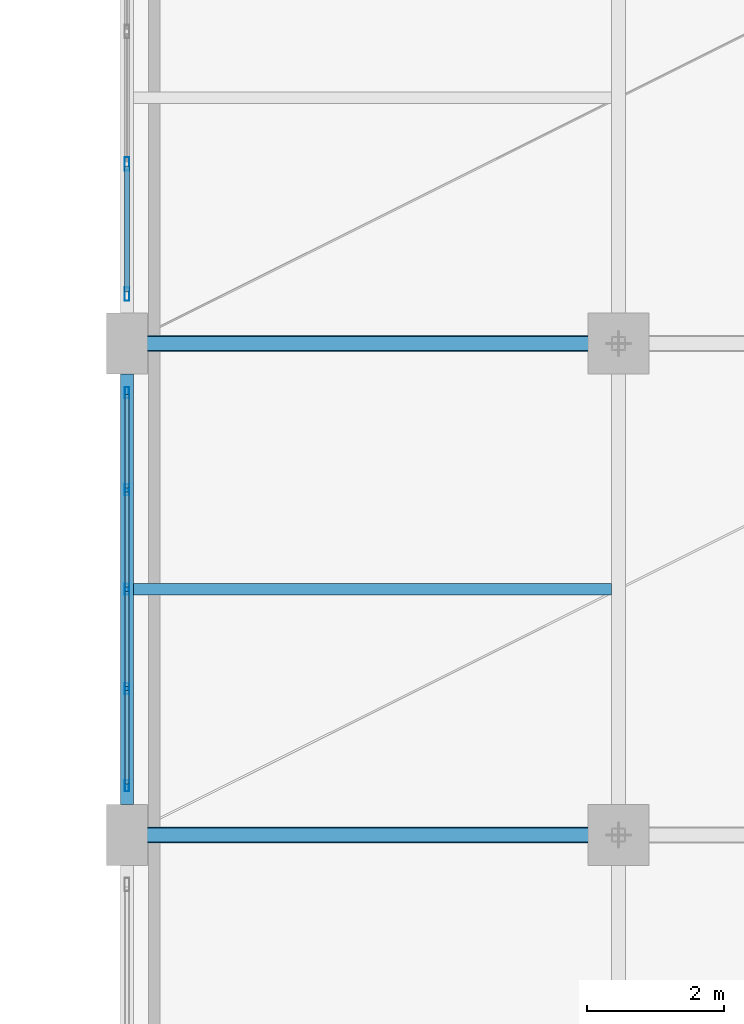
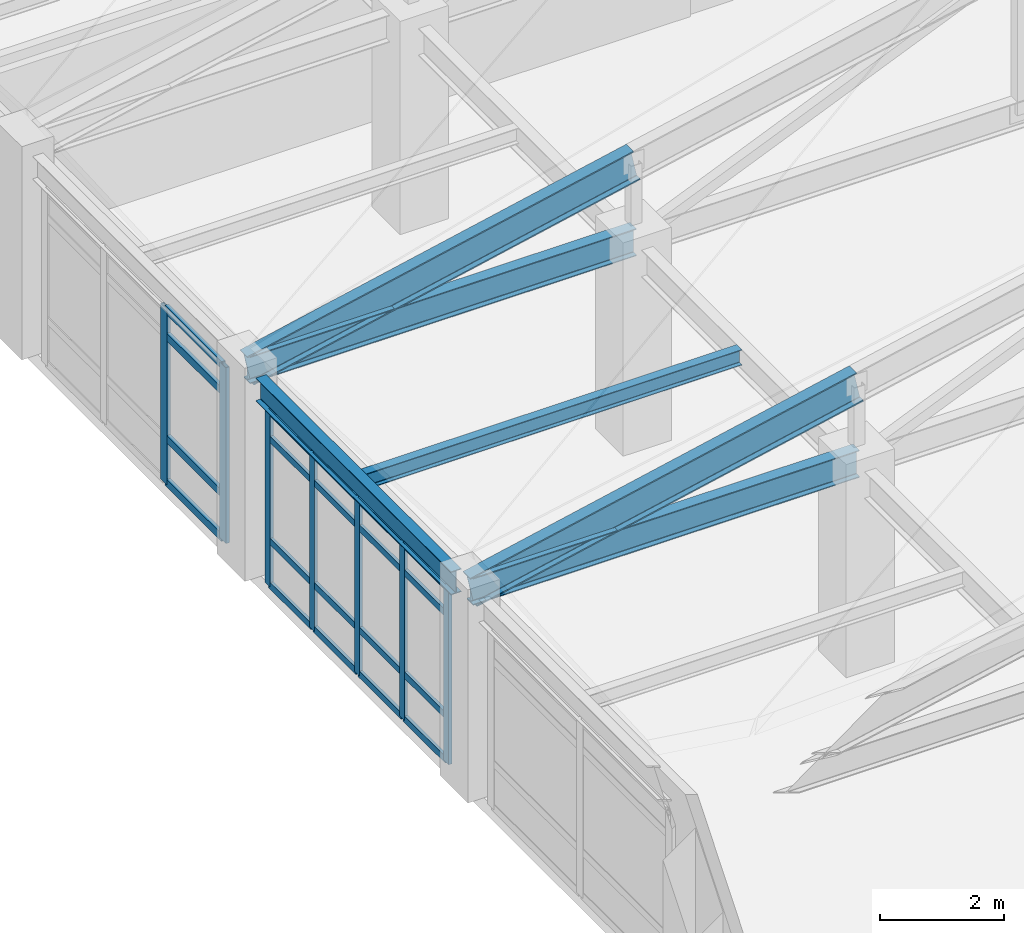
# One storey, part 30 of 113: 29 members, 4 beams, 2 elements without a shape of their own.
"""IFC4 building model written with IfcOpenShell, lengths in metres."""

from ifc_helpers import new_model, si_unit, direction, frame, origin, origin_2d, place, context, subcontext, project, spatial, hollow_rectangle, i_section, extrude, material, layer, layer_set, material_profile, profile_set, type_object, element, aggregate, save


model = new_model("IFC4")

# Units and contexts
model_context = context("Model", 3, precision=1e-05, world=origin(), true_north=direction((0.0, 1.0)))
body_context = subcontext(model_context, "Body", "Model", "MODEL_VIEW")
ifc_project = project(units=[si_unit("LENGTHUNIT", "METRE"), si_unit("AREAUNIT", "SQUARE_METRE"), si_unit("VOLUMEUNIT", "CUBIC_METRE"), si_unit("PLANEANGLEUNIT", "RADIAN"), si_unit("MASSUNIT", "GRAM", prefix="KILO")], contexts=[model_context])

# Site, building, storey
site_placement = place(None, origin())
site = spatial("IfcSite", under=ifc_project, at=site_placement, CompositionType="ELEMENT")
building_placement = place(site_placement, origin())
building = spatial("IfcBuilding", under=site, at=building_placement, Name="Carrowvane Square Congress Hotel", CompositionType="ELEMENT")
storey_placement = place(building_placement, frame((0.0, 0.0, 15.0)))
storey = spatial("IfcBuildingStorey", under=building, at=storey_placement, Name="L03", CompositionType="ELEMENT", Elevation=15.0)

# Beams
ifc_material_1 = material(Name="Steel S355", Category="steel")
ifc_material_profile_1 = material_profile(ifc_material_1, i_section(OverallWidth=0.165771484375, OverallDepth=0.306640625, WebThickness=0.006591796875, FlangeThickness=0.01171875, FilletRadius=0.0087890625, at=origin_2d()), Name="UKB 305x165x46")
ifc_profile_set_1 = profile_set([ifc_material_profile_1], Name="Steel S355")
beam_type_1 = type_object("IfcBeamType", Name="BM-ST-UKB305", PredefinedType="JOIST", material=ifc_profile_set_1)
beam_1_placement = place(storey_placement, frame((134.095703125, 30.60009765625, 3.78662109375), z_axis=(1.0, 0.0, 0.0), x_axis=(0.0, 1.0, 0.0)))
element("IfcBeam", 1, at=beam_1_placement, inside=storey, type_object=beam_type_1, Name="L04 secondary joist 18-19", PredefinedType="JOIST", context=body_context, shape_type="SweptSolid", body=[
    extrude(i_section(OverallWidth=0.165771484375, OverallDepth=0.306640625, WebThickness=0.006591796875, FlangeThickness=0.01171875, FilletRadius=0.0087890625, at=origin_2d()), origin(), (0.0, 0.0, 1.0), 6.999267578125),
])
ifc_material_2 = material(Name="Steel S355", Category="steel")
ifc_material_profile_2 = material_profile(ifc_material_2, i_section(OverallWidth=0.19140625, OverallDepth=0.4599609375, WebThickness=0.010009765625, FlangeThickness=0.01611328125, FilletRadius=0.01025390625, at=origin_2d()), Name="UKB 457x191x82")
ifc_profile_set_2 = profile_set([ifc_material_profile_2], Name="Steel S355")
beam_type_2 = type_object("IfcBeamType", Name="BM-ST-UKB457", PredefinedType="SPANDREL", material=ifc_profile_set_2)
beam_2_placement = place(storey_placement, frame((134.0, 27.449951171875, 3.7099609375), z_axis=(0.0, 1.0, 0.0), x_axis=(-1.0, 0.0, 0.0)))
element("IfcBeam", 2, at=beam_2_placement, inside=storey, type_object=beam_type_2, Name="L04 girder 18/D-E", PredefinedType="SPANDREL", context=body_context, shape_type="SweptSolid", body=[
    extrude(i_section(OverallWidth=0.19140625, OverallDepth=0.4599609375, WebThickness=0.010009765625, FlangeThickness=0.01611328125, FilletRadius=0.01025390625, at=origin_2d()), origin(), (0.0, 0.0, 1.0), 6.300048828125),
])
ifc_material_3 = material(Name="Steel S355", Category="steel")
ifc_material_profile_3 = material_profile(ifc_material_3, i_section(OverallWidth=0.2099609375, OverallDepth=0.53662109375, WebThickness=0.0107421875, FlangeThickness=0.017333984375, FilletRadius=0.0126953125, at=origin_2d()), Name="UKB 533x210x101")
ifc_profile_set_3 = profile_set([ifc_material_profile_3], Name="Steel S355")
beam_type_3 = type_object("IfcBeamType", Name="BM-ST-UKB533", PredefinedType="USERDEFINED", material=ifc_profile_set_3)
for number, where, z_axis, x_axis, name in (
    (3, (134.0, 27.0, 3.85009765625), (1.0, 0.0, 0.0), (0.0, 1.0, 0.0), "V2 pavilion truss west tie girder 3"),
    (4, (134.0, 34.199951171875, 3.85009765625), (1.0, 0.0, 0.0), (0.0, 1.0, 0.0), "V2 pavilion truss west tie girder 4"),
):
    element("IfcBeam", number, at=place(storey_placement, frame(where, z_axis=z_axis, x_axis=x_axis)), inside=storey, type_object=beam_type_3, Name=name, ObjectType="GIRDER", PredefinedType="USERDEFINED", context=body_context, shape_type="SweptSolid", body=[
        extrude(i_section(OverallWidth=0.2099609375, OverallDepth=0.53662109375, WebThickness=0.0107421875, FlangeThickness=0.017333984375, FilletRadius=0.0126953125, at=origin_2d()), origin(), (0.0, 0.0, 1.0), 7.199951171875),
    ])

# Curtain wall, members
ifc_material_4 = material(Name="Anodised aluminium", Category="aluminium")
ifc_layer_1 = layer(ifc_material_4, 0.2099609375)
ifc_layer_set_1 = layer_set([ifc_layer_1], Name="Anodised aluminium")
curtain_wall_type_1 = type_object("IfcCurtainWallType", Name="CW-SYS-5", PredefinedType="NOTDEFINED", material=ifc_layer_set_1)
curtain_wall_1_placement = place(storey_placement, origin())
curtain_wall_1 = element("IfcCurtainWall", 5, at=curtain_wall_1_placement, inside=storey, type_object=curtain_wall_type_1, Name="L03 unitised curtain wall 244", PredefinedType="NOTDEFINED")
ifc_material_5 = material(Name="Anodised aluminium", Category="aluminium")
ifc_material_profile_4 = material_profile(ifc_material_5, hollow_rectangle(XDim=0.06005859375, YDim=0.159912109375, WallThickness=0.00390625, at=origin_2d()), Name="CW-ML 60x160x4")
ifc_profile_set_4 = profile_set([ifc_material_profile_4], Name="Anodised aluminium")
member_type_1 = type_object("IfcMemberType", Name="CW-MUL-1", PredefinedType="MULLION", material=ifc_profile_set_4)
member_1_placement = place(storey_placement, frame((134.0, 27.719970703125, 0.0), z_axis=(0.0, 0.0, 1.0), x_axis=(-1.0, 0.0, 0.0)))
member_1 = element("IfcMember", 6, at=member_1_placement, type_object=member_type_1, Name="CW-5 mullion 1", PredefinedType="MULLION", context=body_context, shape_type="SweptSolid", body=[
    extrude(hollow_rectangle(XDim=0.06005859375, YDim=0.159912109375, WallThickness=0.00390625, at=origin_2d()), origin(), (0.0, 0.0, 1.0), 3.465087890625),
])
member_2_placement = place(storey_placement, frame((134.0, 29.14501953125, 0.0), z_axis=(0.0, 0.0, 1.0), x_axis=(-1.0, 0.0, 0.0)))
member_2 = element("IfcMember", 7, at=member_2_placement, type_object=member_type_1, Name="CW-5 mullion 2", PredefinedType="MULLION", context=body_context, shape_type="SweptSolid", body=[
    extrude(hollow_rectangle(XDim=0.06005859375, YDim=0.159912109375, WallThickness=0.00390625, at=origin_2d()), origin(), (0.0, 0.0, 1.0), 3.465087890625),
])
member_3_placement = place(storey_placement, frame((134.0, 30.60009765625, 0.0), z_axis=(0.0, 0.0, 1.0), x_axis=(-1.0, 0.0, 0.0)))
member_3 = element("IfcMember", 8, at=member_3_placement, type_object=member_type_1, Name="CW-5 mullion 3", PredefinedType="MULLION", context=body_context, shape_type="SweptSolid", body=[
    extrude(hollow_rectangle(XDim=0.06005859375, YDim=0.159912109375, WallThickness=0.00390625, at=origin_2d()), origin(), (0.0, 0.0, 1.0), 3.465087890625),
])
member_4_placement = place(storey_placement, frame((134.0, 32.054931640625, 0.0), z_axis=(0.0, 0.0, 1.0), x_axis=(-1.0, 0.0, 0.0)))
member_4 = element("IfcMember", 9, at=member_4_placement, type_object=member_type_1, Name="CW-5 mullion 4", PredefinedType="MULLION", context=body_context, shape_type="SweptSolid", body=[
    extrude(hollow_rectangle(XDim=0.06005859375, YDim=0.159912109375, WallThickness=0.00390625, at=origin_2d()), origin(), (0.0, 0.0, 1.0), 3.465087890625),
])
member_5_placement = place(storey_placement, frame((134.0, 33.47998046875, 0.0), z_axis=(0.0, 0.0, 1.0), x_axis=(-1.0, 0.0, 0.0)))
member_5 = element("IfcMember", 10, at=member_5_placement, type_object=member_type_1, Name="CW-5 mullion 5", PredefinedType="MULLION", context=body_context, shape_type="SweptSolid", body=[
    extrude(hollow_rectangle(XDim=0.06005859375, YDim=0.159912109375, WallThickness=0.00390625, at=origin_2d()), origin(), (0.0, 0.0, 1.0), 3.465087890625),
])

ifc_material_6 = material(Name="Anodised aluminium", Category="aluminium")
ifc_layer_2 = layer(ifc_material_6, 0.221923828125)
ifc_layer_set_2 = layer_set([ifc_layer_2], Name="Anodised aluminium")
curtain_wall_type_2 = type_object("IfcCurtainWallType", Name="CW-SYS-6", PredefinedType="NOTDEFINED", material=ifc_layer_set_2)
curtain_wall_2_placement = place(storey_placement, origin())
curtain_wall_2 = element("IfcCurtainWall", 11, at=curtain_wall_2_placement, inside=storey, type_object=curtain_wall_type_2, Name="L03 unitised curtain wall 245", PredefinedType="NOTDEFINED")
ifc_material_7 = material(Name="Anodised aluminium", Category="aluminium")
ifc_material_profile_5 = material_profile(ifc_material_7, hollow_rectangle(XDim=0.070068359375, YDim=0.199951171875, WallThickness=0.0048828125, at=origin_2d()), Name="CW-ML 70x200x5")
ifc_profile_set_5 = profile_set([ifc_material_profile_5], Name="Anodised aluminium")
member_type_2 = type_object("IfcMemberType", Name="CW-MUL-2", PredefinedType="MULLION", material=ifc_profile_set_5)
member_6_placement = place(storey_placement, frame((134.0, 34.925048828125, 0.0), z_axis=(0.0, 0.0, 1.0), x_axis=(-1.0, 0.0, 0.0)))
member_6 = element("IfcMember", 12, at=member_6_placement, type_object=member_type_2, Name="CW-6 mullion 1", PredefinedType="MULLION", context=body_context, shape_type="SweptSolid", body=[
    extrude(hollow_rectangle(XDim=0.070068359375, YDim=0.199951171875, WallThickness=0.0048828125, at=origin_2d()), origin(), (0.0, 0.0, 1.0), 3.465087890625),
])
member_7_placement = place(storey_placement, frame((134.0, 36.830078125, 0.0), z_axis=(0.0, 0.0, 1.0), x_axis=(-1.0, 0.0, 0.0)))
member_7 = element("IfcMember", 13, at=member_7_placement, type_object=member_type_2, Name="CW-6 mullion 2", PredefinedType="MULLION", context=body_context, shape_type="SweptSolid", body=[
    extrude(hollow_rectangle(XDim=0.070068359375, YDim=0.199951171875, WallThickness=0.0048828125, at=origin_2d()), origin(), (0.0, 0.0, 1.0), 3.465087890625),
])

# Member
ifc_material_8 = material(Name="Anodised aluminium", Category="aluminium")
ifc_material_profile_6 = material_profile(ifc_material_8, hollow_rectangle(XDim=0.06005859375, YDim=0.1298828125, WallThickness=0.00390625, at=origin_2d()), Name="CW-TR 60x130x4")
ifc_profile_set_6 = profile_set([ifc_material_profile_6], Name="Anodised aluminium")
member_type_3 = type_object("IfcMemberType", Name="CW-TRN-1", PredefinedType="USERDEFINED", material=ifc_profile_set_6)
member_8_placement = place(storey_placement, frame((134.0, 27.75, 0.030029296875), z_axis=(0.0, 1.0, 0.0), x_axis=(-1.0, 0.0, 0.0)))
member_8 = element("IfcMember", 14, at=member_8_placement, type_object=member_type_3, Name="CW-5 transom 1.1", ObjectType="TRANSOM", PredefinedType="USERDEFINED", context=body_context, shape_type="SweptSolid", body=[
    extrude(hollow_rectangle(XDim=0.06005859375, YDim=0.1298828125, WallThickness=0.00390625, at=origin_2d()), origin(), (0.0, 0.0, 1.0), 1.364990234375),
])

member_9_placement = place(storey_placement, frame((134.0, 27.75, 0.89990234375), z_axis=(0.0, 1.0, 0.0), x_axis=(-1.0, 0.0, 0.0)))
member_9 = element("IfcMember", 15, at=member_9_placement, type_object=member_type_3, Name="CW-5 transom 1.2", ObjectType="TRANSOM", PredefinedType="USERDEFINED", context=body_context, shape_type="SweptSolid", body=[
    extrude(hollow_rectangle(XDim=0.06005859375, YDim=0.1298828125, WallThickness=0.00390625, at=origin_2d()), origin(), (0.0, 0.0, 1.0), 1.364990234375),
])

member_10_placement = place(storey_placement, frame((134.0, 27.75, 2.9150390625), z_axis=(0.0, 1.0, 0.0), x_axis=(-1.0, 0.0, 0.0)))
member_10 = element("IfcMember", 16, at=member_10_placement, type_object=member_type_3, Name="CW-5 transom 1.3", ObjectType="TRANSOM", PredefinedType="USERDEFINED", context=body_context, shape_type="SweptSolid", body=[
    extrude(hollow_rectangle(XDim=0.06005859375, YDim=0.1298828125, WallThickness=0.00390625, at=origin_2d()), origin(), (0.0, 0.0, 1.0), 1.364990234375),
])

member_11_placement = place(storey_placement, frame((134.0, 27.75, 3.43505859375), z_axis=(0.0, 1.0, 0.0), x_axis=(-1.0, 0.0, 0.0)))
member_11 = element("IfcMember", 17, at=member_11_placement, type_object=member_type_3, Name="CW-5 transom 1.4", ObjectType="TRANSOM", PredefinedType="USERDEFINED", context=body_context, shape_type="SweptSolid", body=[
    extrude(hollow_rectangle(XDim=0.06005859375, YDim=0.1298828125, WallThickness=0.00390625, at=origin_2d()), origin(), (0.0, 0.0, 1.0), 1.364990234375),
])

member_12_placement = place(storey_placement, frame((134.0, 29.175048828125, 0.030029296875), z_axis=(0.0, 1.0, 0.0), x_axis=(-1.0, 0.0, 0.0)))
member_12 = element("IfcMember", 18, at=member_12_placement, type_object=member_type_3, Name="CW-5 transom 2.1", ObjectType="TRANSOM", PredefinedType="USERDEFINED", context=body_context, shape_type="SweptSolid", body=[
    extrude(hollow_rectangle(XDim=0.06005859375, YDim=0.1298828125, WallThickness=0.00390625, at=origin_2d()), origin(), (0.0, 0.0, 1.0), 1.39501953125),
])

member_13_placement = place(storey_placement, frame((134.0, 29.175048828125, 0.89990234375), z_axis=(0.0, 1.0, 0.0), x_axis=(-1.0, 0.0, 0.0)))
member_13 = element("IfcMember", 19, at=member_13_placement, type_object=member_type_3, Name="CW-5 transom 2.2", ObjectType="TRANSOM", PredefinedType="USERDEFINED", context=body_context, shape_type="SweptSolid", body=[
    extrude(hollow_rectangle(XDim=0.06005859375, YDim=0.1298828125, WallThickness=0.00390625, at=origin_2d()), origin(), (0.0, 0.0, 1.0), 1.39501953125),
])

member_14_placement = place(storey_placement, frame((134.0, 29.175048828125, 2.9150390625), z_axis=(0.0, 1.0, 0.0), x_axis=(-1.0, 0.0, 0.0)))
member_14 = element("IfcMember", 20, at=member_14_placement, type_object=member_type_3, Name="CW-5 transom 2.3", ObjectType="TRANSOM", PredefinedType="USERDEFINED", context=body_context, shape_type="SweptSolid", body=[
    extrude(hollow_rectangle(XDim=0.06005859375, YDim=0.1298828125, WallThickness=0.00390625, at=origin_2d()), origin(), (0.0, 0.0, 1.0), 1.39501953125),
])

member_15_placement = place(storey_placement, frame((134.0, 29.175048828125, 3.43505859375), z_axis=(0.0, 1.0, 0.0), x_axis=(-1.0, 0.0, 0.0)))
member_15 = element("IfcMember", 21, at=member_15_placement, type_object=member_type_3, Name="CW-5 transom 2.4", ObjectType="TRANSOM", PredefinedType="USERDEFINED", context=body_context, shape_type="SweptSolid", body=[
    extrude(hollow_rectangle(XDim=0.06005859375, YDim=0.1298828125, WallThickness=0.00390625, at=origin_2d()), origin(), (0.0, 0.0, 1.0), 1.39501953125),
])

member_16_placement = place(storey_placement, frame((134.0, 30.6298828125, 0.030029296875), z_axis=(0.0, 1.0, 0.0), x_axis=(-1.0, 0.0, 0.0)))
member_16 = element("IfcMember", 22, at=member_16_placement, type_object=member_type_3, Name="CW-5 transom 3.1", ObjectType="TRANSOM", PredefinedType="USERDEFINED", context=body_context, shape_type="SweptSolid", body=[
    extrude(hollow_rectangle(XDim=0.06005859375, YDim=0.1298828125, WallThickness=0.00390625, at=origin_2d()), origin(), (0.0, 0.0, 1.0), 1.39501953125),
])

member_17_placement = place(storey_placement, frame((134.0, 30.6298828125, 0.89990234375), z_axis=(0.0, 1.0, 0.0), x_axis=(-1.0, 0.0, 0.0)))
member_17 = element("IfcMember", 23, at=member_17_placement, type_object=member_type_3, Name="CW-5 transom 3.2", ObjectType="TRANSOM", PredefinedType="USERDEFINED", context=body_context, shape_type="SweptSolid", body=[
    extrude(hollow_rectangle(XDim=0.06005859375, YDim=0.1298828125, WallThickness=0.00390625, at=origin_2d()), origin(), (0.0, 0.0, 1.0), 1.39501953125),
])

member_18_placement = place(storey_placement, frame((134.0, 30.6298828125, 2.9150390625), z_axis=(0.0, 1.0, 0.0), x_axis=(-1.0, 0.0, 0.0)))
member_18 = element("IfcMember", 24, at=member_18_placement, type_object=member_type_3, Name="CW-5 transom 3.3", ObjectType="TRANSOM", PredefinedType="USERDEFINED", context=body_context, shape_type="SweptSolid", body=[
    extrude(hollow_rectangle(XDim=0.06005859375, YDim=0.1298828125, WallThickness=0.00390625, at=origin_2d()), origin(), (0.0, 0.0, 1.0), 1.39501953125),
])

member_19_placement = place(storey_placement, frame((134.0, 30.6298828125, 3.43505859375), z_axis=(0.0, 1.0, 0.0), x_axis=(-1.0, 0.0, 0.0)))
member_19 = element("IfcMember", 25, at=member_19_placement, type_object=member_type_3, Name="CW-5 transom 3.4", ObjectType="TRANSOM", PredefinedType="USERDEFINED", context=body_context, shape_type="SweptSolid", body=[
    extrude(hollow_rectangle(XDim=0.06005859375, YDim=0.1298828125, WallThickness=0.00390625, at=origin_2d()), origin(), (0.0, 0.0, 1.0), 1.39501953125),
])

member_20_placement = place(storey_placement, frame((134.0, 32.0849609375, 0.030029296875), z_axis=(0.0, 1.0, 0.0), x_axis=(-1.0, 0.0, 0.0)))
member_20 = element("IfcMember", 26, at=member_20_placement, type_object=member_type_3, Name="CW-5 transom 4.1", ObjectType="TRANSOM", PredefinedType="USERDEFINED", context=body_context, shape_type="SweptSolid", body=[
    extrude(hollow_rectangle(XDim=0.06005859375, YDim=0.1298828125, WallThickness=0.00390625, at=origin_2d()), origin(), (0.0, 0.0, 1.0), 1.364990234375),
])

member_21_placement = place(storey_placement, frame((134.0, 32.0849609375, 0.89990234375), z_axis=(0.0, 1.0, 0.0), x_axis=(-1.0, 0.0, 0.0)))
member_21 = element("IfcMember", 27, at=member_21_placement, type_object=member_type_3, Name="CW-5 transom 4.2", ObjectType="TRANSOM", PredefinedType="USERDEFINED", context=body_context, shape_type="SweptSolid", body=[
    extrude(hollow_rectangle(XDim=0.06005859375, YDim=0.1298828125, WallThickness=0.00390625, at=origin_2d()), origin(), (0.0, 0.0, 1.0), 1.364990234375),
])

member_22_placement = place(storey_placement, frame((134.0, 32.0849609375, 2.9150390625), z_axis=(0.0, 1.0, 0.0), x_axis=(-1.0, 0.0, 0.0)))
member_22 = element("IfcMember", 28, at=member_22_placement, type_object=member_type_3, Name="CW-5 transom 4.3", ObjectType="TRANSOM", PredefinedType="USERDEFINED", context=body_context, shape_type="SweptSolid", body=[
    extrude(hollow_rectangle(XDim=0.06005859375, YDim=0.1298828125, WallThickness=0.00390625, at=origin_2d()), origin(), (0.0, 0.0, 1.0), 1.364990234375),
])

member_23_placement = place(storey_placement, frame((134.0, 32.0849609375, 3.43505859375), z_axis=(0.0, 1.0, 0.0), x_axis=(-1.0, 0.0, 0.0)))
member_23 = element("IfcMember", 29, at=member_23_placement, type_object=member_type_3, Name="CW-5 transom 4.4", ObjectType="TRANSOM", PredefinedType="USERDEFINED", context=body_context, shape_type="SweptSolid", body=[
    extrude(hollow_rectangle(XDim=0.06005859375, YDim=0.1298828125, WallThickness=0.00390625, at=origin_2d()), origin(), (0.0, 0.0, 1.0), 1.364990234375),
])

aggregate(curtain_wall_1, [member_1, member_2, member_3, member_4, member_5, member_8, member_9, member_10, member_11, member_12, member_13, member_14, member_15, member_16, member_17, member_18, member_19, member_20, member_21, member_22, member_23])

ifc_material_9 = material(Name="Anodised aluminium", Category="aluminium")
ifc_material_profile_7 = material_profile(ifc_material_9, hollow_rectangle(XDim=0.070068359375, YDim=0.14990234375, WallThickness=0.0048828125, at=origin_2d()), Name="CW-TR 70x150x5")
ifc_profile_set_7 = profile_set([ifc_material_profile_7], Name="Anodised aluminium")
member_type_4 = type_object("IfcMemberType", Name="CW-TRN-2", PredefinedType="USERDEFINED", material=ifc_profile_set_7)
member_24_placement = place(storey_placement, frame((134.0, 34.9599609375, 0.034912109375), z_axis=(0.0, 1.0, 0.0), x_axis=(-1.0, 0.0, 0.0)))
member_24 = element("IfcMember", 30, at=member_24_placement, type_object=member_type_4, Name="CW-6 transom 1.1", ObjectType="TRANSOM", PredefinedType="USERDEFINED", context=body_context, shape_type="SweptSolid", body=[
    extrude(hollow_rectangle(XDim=0.070068359375, YDim=0.14990234375, WallThickness=0.0048828125, at=origin_2d()), origin(), (0.0, 0.0, 1.0), 1.8349609375),
])

member_25_placement = place(storey_placement, frame((134.0, 34.9599609375, 0.89990234375), z_axis=(0.0, 1.0, 0.0), x_axis=(-1.0, 0.0, 0.0)))
member_25 = element("IfcMember", 31, at=member_25_placement, type_object=member_type_4, Name="CW-6 transom 1.2", ObjectType="TRANSOM", PredefinedType="USERDEFINED", context=body_context, shape_type="SweptSolid", body=[
    extrude(hollow_rectangle(XDim=0.070068359375, YDim=0.14990234375, WallThickness=0.0048828125, at=origin_2d()), origin(), (0.0, 0.0, 1.0), 1.8349609375),
])

member_26_placement = place(storey_placement, frame((134.0, 34.9599609375, 2.9150390625), z_axis=(0.0, 1.0, 0.0), x_axis=(-1.0, 0.0, 0.0)))
member_26 = element("IfcMember", 32, at=member_26_placement, type_object=member_type_4, Name="CW-6 transom 1.3", ObjectType="TRANSOM", PredefinedType="USERDEFINED", context=body_context, shape_type="SweptSolid", body=[
    extrude(hollow_rectangle(XDim=0.070068359375, YDim=0.14990234375, WallThickness=0.0048828125, at=origin_2d()), origin(), (0.0, 0.0, 1.0), 1.8349609375),
])

member_27_placement = place(storey_placement, frame((134.0, 34.9599609375, 3.429931640625), z_axis=(0.0, 1.0, 0.0), x_axis=(-1.0, 0.0, 0.0)))
member_27 = element("IfcMember", 33, at=member_27_placement, type_object=member_type_4, Name="CW-6 transom 1.4", ObjectType="TRANSOM", PredefinedType="USERDEFINED", context=body_context, shape_type="SweptSolid", body=[
    extrude(hollow_rectangle(XDim=0.070068359375, YDim=0.14990234375, WallThickness=0.0048828125, at=origin_2d()), origin(), (0.0, 0.0, 1.0), 1.8349609375),
])

aggregate(curtain_wall_2, [member_6, member_7, member_24, member_25, member_26, member_27])

# Members
ifc_material_10 = material(Name="Steel S355", Category="steel")
ifc_material_profile_8 = material_profile(ifc_material_10, i_section(OverallWidth=0.230224609375, OverallDepth=0.6171875, WebThickness=0.01318359375, FlangeThickness=0.022216796875, FilletRadius=0.0126953125, at=origin_2d()), Name="UKB 610x229x140")
ifc_profile_set_8 = profile_set([ifc_material_profile_8], Name="Steel S355")
member_type_5 = type_object("IfcMemberType", Name="MEM-TC-UKB610", PredefinedType="CHORD", material=ifc_profile_set_8)
for number, where, z_axis, x_axis, name in (
    (34, (134.0, 27.0, 3.840087890625), (0.978151010745, 0.0, 0.207895647328), (0.0, 1.0, 0.0), "V2 pavilion truss top chord 3.1"),
    (35, (134.0, 34.199951171875, 3.840087890625), (0.978151010745, 0.0, 0.207895647328), (0.0, 1.0, 0.0), "V2 pavilion truss top chord 4.1"),
):
    element("IfcMember", number, at=place(storey_placement, frame(where, z_axis=z_axis, x_axis=x_axis)), inside=storey, type_object=member_type_5, Name=name, PredefinedType="CHORD", context=body_context, shape_type="SweptSolid", body=[
        extrude(i_section(OverallWidth=0.230224609375, OverallDepth=0.6171875, WebThickness=0.01318359375, FlangeThickness=0.022216796875, FilletRadius=0.0126953125, at=origin_2d()), origin(), (0.0, 0.0, 1.0), 7.36083984375),
    ])

save(model, "model.ifc")
